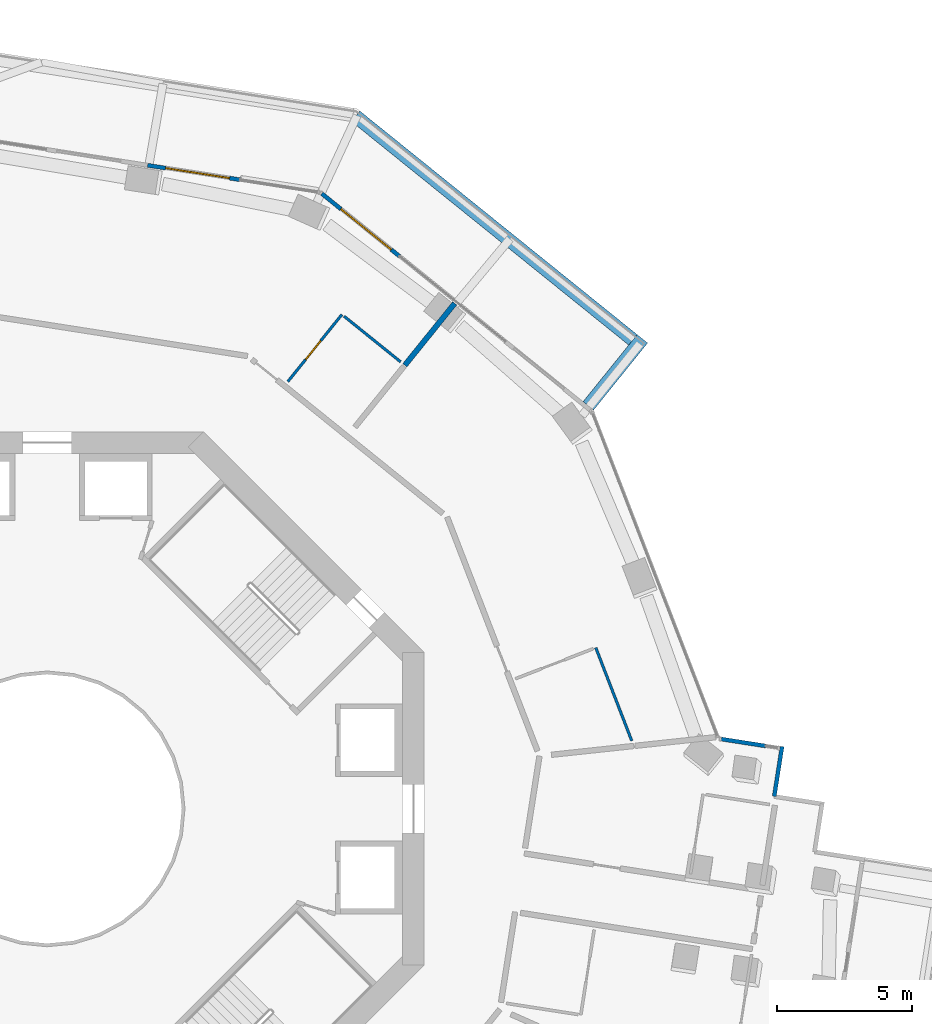
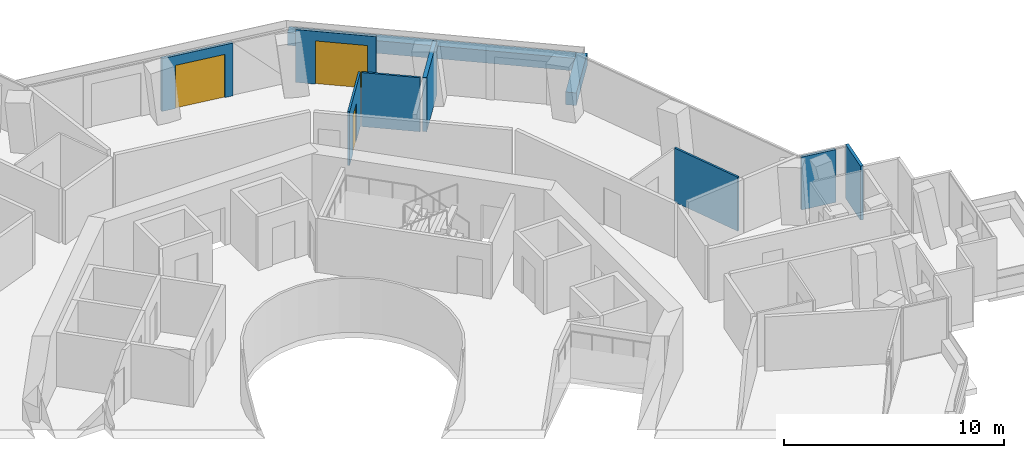
# One storey, part 20 of 23: 10 walls, 3 doors, 3 openings.
"""IFC4 building model written with IfcOpenShell, lengths in metres."""

from ifc_helpers import new_model, si_unit, direction, frame, frame_2d, origin, place, context, subcontext, project, spatial, rectangle, extrude, material, layer, layer_set, type_object, element, fill, save


model = new_model("IFC4")

# Units and contexts
model_context = context("Model", 3, precision=1e-05, world=origin(), true_north=direction((0.0, 1.0)))
body_context = subcontext(model_context, "Body", "Model", "MODEL_VIEW")
ifc_project = project(units=[si_unit("LENGTHUNIT", "METRE"), si_unit("AREAUNIT", "SQUARE_METRE"), si_unit("VOLUMEUNIT", "CUBIC_METRE"), si_unit("PLANEANGLEUNIT", "RADIAN"), si_unit("MASSUNIT", "GRAM", prefix="KILO")], contexts=[model_context])

# Site, building, storey
site_placement = place(None, origin())
site = spatial("IfcSite", under=ifc_project, at=site_placement, CompositionType="ELEMENT")
building_placement = place(site_placement, origin())
building = spatial("IfcBuilding", under=site, at=building_placement, Name="Verdalira Terraces Hotel", CompositionType="ELEMENT")
storey_placement = place(building_placement, frame((0.0, 0.0, 118.5)))
storey = spatial("IfcBuildingStorey", under=building, at=storey_placement, Name="L28", CompositionType="ELEMENT", Elevation=118.5)

# Walls
ifc_material_1 = material(Name="Concrete C40", Category="concrete")
ifc_layer_1 = layer(ifc_material_1, 0.5)
ifc_layer_set_1 = layer_set([ifc_layer_1], Name="Balcony planter trough with tree")
wall_type_1 = type_object("IfcWallType", Name="Balcony planter trough with tree", PredefinedType="SOLIDWALL", material=ifc_layer_set_1)
wall_1_placement = place(storey_placement, frame((20.092773, 14.961914, 0.0), z_axis=(0.0, 0.0, 1.0), x_axis=(0.627715158, 0.778443113, 0.0)))
element("IfcWall", 1, at=wall_1_placement, inside=storey, type_object=wall_type_1, Name="Balcony planter", PredefinedType="SOLIDWALL", context=body_context, shape_type="SweptSolid", body=[
    extrude(rectangle(XDim=3.198975, YDim=0.5, at=frame_2d((1.599609, 0.0))), origin(), (0.0, 0.0, 1.0), 0.699951),
])
wall_2_placement = place(storey_placement, frame((21.749268, 17.414551, 0.0), z_axis=(0.0, 0.0, 1.0), x_axis=(-0.778460183, 0.627693988, 0.0)))
element("IfcWall", 2, at=wall_2_placement, inside=storey, type_object=wall_type_1, Name="Balcony planter", PredefinedType="SOLIDWALL", context=body_context, shape_type="SweptSolid", body=[
    extrude(rectangle(XDim=13.223389, YDim=0.5, at=frame_2d((6.611816, 0.0))), origin(), (0.0, 0.0, 1.0), 0.699951),
])

# Wall, opening, door
ifc_material_2 = material(Name="Moisture-resistant gypsum board partition")
ifc_layer_2 = layer(ifc_material_2, 0.10009765625)
ifc_layer_set_2 = layer_set([ifc_layer_2], Name="Bathroom partition 100 mm")
wall_type_2 = type_object("IfcWallType", Name="Bathroom partition 100 mm", PredefinedType="PARTITIONING", material=ifc_layer_set_2)
wall_3_placement = place(storey_placement, frame((10.945557, 18.354004, 0.0), z_axis=(0.0, 0.0, 1.0), x_axis=(-0.62769578, -0.778458739, 0.0)))
wall_3 = element("IfcWall", 3, at=wall_3_placement, inside=storey, type_object=wall_type_2, Name="Bathroom partition", PredefinedType="PARTITIONING", context=body_context, shape_type="SweptSolid", body=[
    extrude(rectangle(XDim=3.199951, YDim=0.100098, at=frame_2d((1.600098, 0.0))), origin(), (0.0, 0.0, 1.0), 3.0),
])
opening_1_placement = place(wall_3_placement, frame((1.25, 0.0, 0.0)))
opening_1 = element("IfcOpeningElement", 4, at=opening_1_placement, cuts=wall_3, Name="Opening L28-130", PredefinedType="OPENING", context=body_context, shape_type="SweptSolid", body=[
    extrude(rectangle(XDim=0.899902, YDim=2.100098, at=frame_2d((0.449951, 1.050049))), frame((0.0, 0.060059, 0.0), z_axis=(0.0, -1.0, 0.0), x_axis=(1.0, 0.0, 0.0)), (0.0, 0.0, 1.0), 0.120117),
])
ifc_material_3 = material(Name="Timber door", Category="wood")
door_type_1 = type_object("IfcDoorType", Name="Bathroom door 900 x 2100", OperationType="NOTDEFINED", PredefinedType="DOOR", material=ifc_material_3)
door_1_placement = place(opening_1_placement, origin())
door_1 = element("IfcDoor", 5, at=door_1_placement, inside=storey, type_object=door_type_1, Name="Bathroom door 2814", OperationType="SINGLE_SWING_LEFT", OverallHeight=2.10009765625, OverallWidth=0.89990234375, PredefinedType="DOOR", context=body_context, shape_type="SweptSolid", body=[
    extrude(rectangle(XDim=0.899902, YDim=2.100098, at=frame_2d((0.449951, 1.050049))), frame((0.0, 0.024902, 0.0), z_axis=(0.0, -1.0, 0.0), x_axis=(1.0, 0.0, 0.0)), (0.0, 0.0, 1.0), 0.050049),
])
fill(opening_1, door_1)

# Walls
wall_4_placement = place(storey_placement, frame((11.023438, 18.29126, 0.0), z_axis=(0.0, 0.0, 1.0), x_axis=(0.778445821, -0.6277118, 0.0)))
element("IfcWall", 6, at=wall_4_placement, inside=storey, type_object=wall_type_2, Name="Bathroom partition", PredefinedType="PARTITIONING", context=body_context, shape_type="SweptSolid", body=[
    extrude(rectangle(XDim=2.699951, YDim=0.100098, at=frame_2d((1.350098, 0.0))), origin(), (0.0, 0.0, 1.0), 3.0),
])
wall_5_placement = place(storey_placement, frame((20.370605, 5.983643, 0.0), z_axis=(0.0, 0.0, 1.0), x_axis=(0.360330199, -0.932824822, 0.0)))
element("IfcWall", 7, at=wall_5_placement, inside=storey, type_object=wall_type_2, Name="Bathroom partition", PredefinedType="PARTITIONING", context=body_context, shape_type="SweptSolid", body=[
    extrude(rectangle(XDim=3.704102, YDim=0.100098, at=frame_2d((1.852051, 0.0))), origin(), (0.0, 0.0, 1.0), 3.0),
])
ifc_material_4 = material(Name="Fire-rated gypsum board wall")
ifc_layer_3 = layer(ifc_material_4, 0.199951171875)
ifc_layer_set_3 = layer_set([ifc_layer_3], Name="Demising wall 200 mm")
wall_type_3 = type_object("IfcWallType", Name="Demising wall 200 mm", PredefinedType="SOLIDWALL", material=ifc_layer_set_3)
wall_6_placement = place(storey_placement, frame((13.279541, 16.469482, 0.0), z_axis=(0.0, 0.0, 1.0), x_axis=(0.627736285, 0.778426076, 0.0)))
element("IfcWall", 8, at=wall_6_placement, inside=storey, type_object=wall_type_3, Name="Demising wall", PredefinedType="SOLIDWALL", context=body_context, shape_type="SweptSolid", body=[
    extrude(rectangle(XDim=2.951904, YDim=0.199951, at=frame_2d((1.476074, 0.0))), origin(), (0.0, 0.0, 1.0), 3.0),
])
ifc_material_5 = material(Name="Terracotta cladding", Category="masonry")
ifc_layer_4 = layer(ifc_material_5, 0.14990234375)
ifc_layer_set_4 = layer_set([ifc_layer_4], Name="Terracotta clad wall 150")
wall_type_4 = type_object("IfcWallType", Name="Terracotta clad wall 150", PredefinedType="SOLIDWALL", material=ifc_layer_set_4)
wall_7_placement = place(storey_placement, frame((26.99707, 0.463135, 0.0), z_axis=(0.0, 0.0, 1.0), x_axis=(0.154297439, 0.988024443, 0.0)))
element("IfcWall", 9, at=wall_7_placement, inside=storey, type_object=wall_type_4, Name="Terracotta cladding wall", PredefinedType="SOLIDWALL", context=body_context, shape_type="SweptSolid", body=[
    extrude(rectangle(XDim=1.875, YDim=0.149902, at=frame_2d((0.9375, 0.0))), origin(), (0.0, 0.0, 1.0), 3.0),
])
ifc_material_6 = material(Name="Terracotta cladding", Category="masonry")
ifc_layer_5 = layer(ifc_material_6, 0.14990234375)
ifc_layer_set_5 = layer_set([ifc_layer_5], Name="Terracotta column pier 150")
wall_type_5 = type_object("IfcWallType", Name="Terracotta column pier 150", PredefinedType="SOLIDWALL", material=ifc_layer_set_5)
wall_8_placement = place(storey_placement, frame((26.677002, 2.334961, 0.0), z_axis=(0.0, 0.0, 1.0), x_axis=(-0.988012034, 0.15437688, 0.0)))
element("IfcWall", 10, at=wall_8_placement, inside=storey, type_object=wall_type_5, Name="Terracotta column pier", PredefinedType="SOLIDWALL", context=body_context, shape_type="SweptSolid", body=[
    extrude(rectangle(XDim=1.668457, YDim=0.149902, at=frame_2d((0.834229, 0.0))), origin(), (0.0, 0.0, 1.0), 2.935059),
])

# Wall, opening, door
ifc_material_7 = material(Name="Terracotta cladding", Category="masonry")
ifc_layer_6 = layer(ifc_material_7, 0.14990234375)
ifc_layer_set_6 = layer_set([ifc_layer_6], Name="Terracotta door pier 150")
wall_type_6 = type_object("IfcWallType", Name="Terracotta door pier 150", PredefinedType="SOLIDWALL", material=ifc_layer_set_6)
wall_9_placement = place(storey_placement, frame((13.085938, 20.51416, 0.0), z_axis=(0.0, 0.0, 1.0), x_axis=(-0.778455565, 0.627699716, 0.0)))
wall_9 = element("IfcWall", 11, at=wall_9_placement, inside=storey, type_object=wall_type_6, Name="Terracotta door pier", PredefinedType="SOLIDWALL", context=body_context, shape_type="SweptSolid", body=[
    extrude(rectangle(XDim=3.710205, YDim=0.149902, at=frame_2d((1.85498, 0.0))), origin(), (0.0, 0.0, 1.0), 2.935059),
])
opening_2_placement = place(wall_9_placement, frame((0.399902, 0.0, 0.0)))
opening_2 = element("IfcOpeningElement", 12, at=opening_2_placement, cuts=wall_9, Name="Opening L28-B13", PredefinedType="OPENING", context=body_context, shape_type="SweptSolid", body=[
    extrude(rectangle(XDim=2.399902, YDim=2.399902, at=frame_2d((1.199951, 1.199951))), frame((0.0, 0.084961, 0.0), z_axis=(0.0, -1.0, 0.0), x_axis=(1.0, 0.0, 0.0)), (0.0, 0.0, 1.0), 0.169922),
])
ifc_material_8 = material(Name="Clear glass", Category="glass")
door_type_2 = type_object("IfcDoorType", Name="Balcony sliding door 2400x2400", OperationType="NOTDEFINED", PredefinedType="DOOR", material=ifc_material_8)
door_2_placement = place(opening_2_placement, origin())
door_2 = element("IfcDoor", 13, at=door_2_placement, inside=storey, type_object=door_type_2, Name="Balcony sliding door", OperationType="SLIDING_TO_RIGHT", OverallHeight=2.39990234375, OverallWidth=2.39990234375, PredefinedType="DOOR", context=body_context, shape_type="SweptSolid", body=[
    extrude(rectangle(XDim=2.399902, YDim=2.399902, at=frame_2d((1.199951, 1.199951))), frame((0.0, 0.024902, 0.0), z_axis=(0.0, -1.0, 0.0), x_axis=(1.0, 0.0, 0.0)), (0.0, 0.0, 1.0), 0.050049),
])
fill(opening_2, door_2)

wall_10_placement = place(storey_placement, frame((7.166504, 23.356934, 0.0), z_axis=(0.0, 0.0, 1.0), x_axis=(-0.988005, 0.154421887, 0.0)))
wall_10 = element("IfcWall", 14, at=wall_10_placement, inside=storey, type_object=wall_type_6, Name="Terracotta door pier", PredefinedType="SOLIDWALL", context=body_context, shape_type="SweptSolid", body=[
    extrude(rectangle(XDim=3.475098, YDim=0.149902, at=frame_2d((1.737549, 0.0))), origin(), (0.0, 0.0, 1.0), 2.935059),
])
opening_3_placement = place(wall_10_placement, frame((0.399902, 0.0, 0.0)))
opening_3 = element("IfcOpeningElement", 15, at=opening_3_placement, cuts=wall_10, Name="Opening L28-B14", PredefinedType="OPENING", context=body_context, shape_type="SweptSolid", body=[
    extrude(rectangle(XDim=2.399902, YDim=2.399902, at=frame_2d((1.199951, 1.199951))), frame((0.0, 0.084961, 0.0), z_axis=(0.0, -1.0, 0.0), x_axis=(1.0, 0.0, 0.0)), (0.0, 0.0, 1.0), 0.169922),
])
door_3_placement = place(opening_3_placement, origin())
door_3 = element("IfcDoor", 16, at=door_3_placement, inside=storey, type_object=door_type_2, Name="Balcony sliding door", OperationType="SLIDING_TO_RIGHT", OverallHeight=2.39990234375, OverallWidth=2.39990234375, PredefinedType="DOOR", context=body_context, shape_type="SweptSolid", body=[
    extrude(rectangle(XDim=2.399902, YDim=2.399902, at=frame_2d((1.199951, 1.199951))), frame((0.0, 0.024902, 0.0), z_axis=(0.0, -1.0, 0.0), x_axis=(1.0, 0.0, 0.0)), (0.0, 0.0, 1.0), 0.050049),
])
fill(opening_3, door_3)

save(model, "model.ifc")
